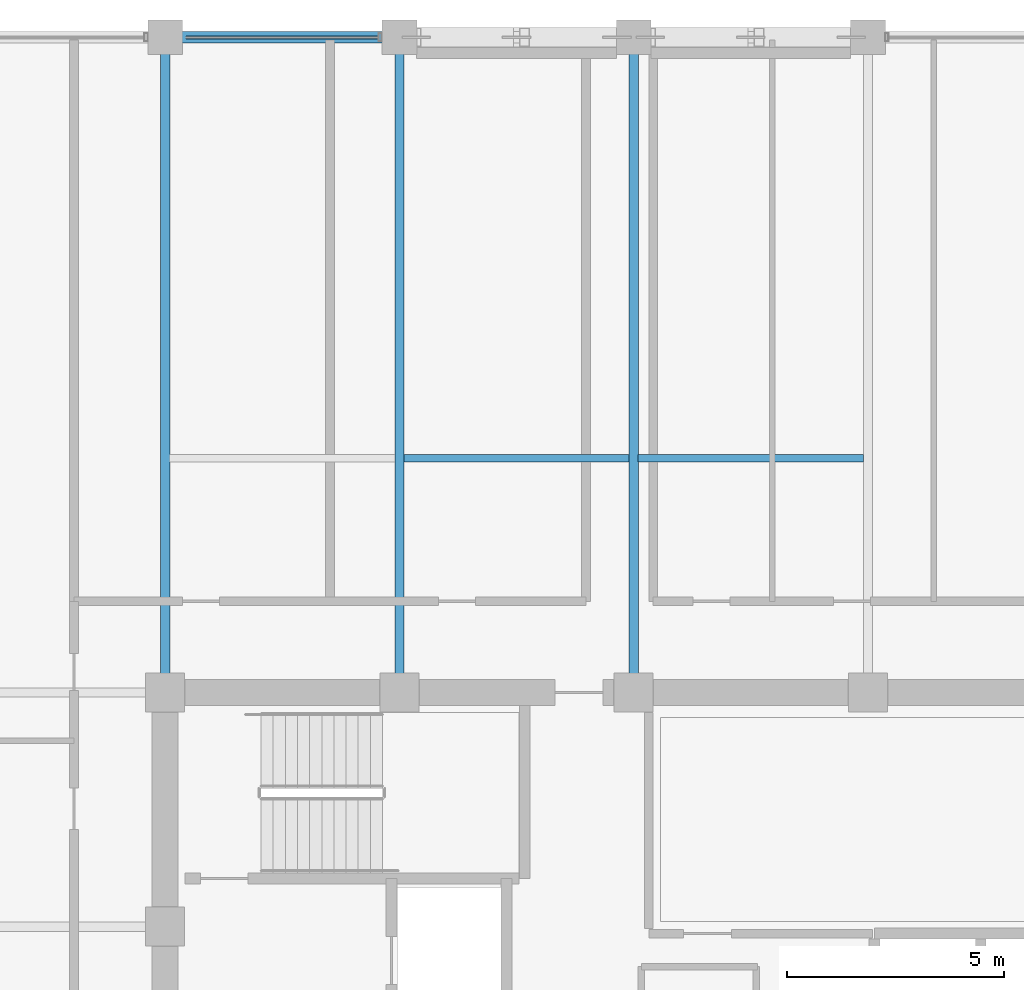
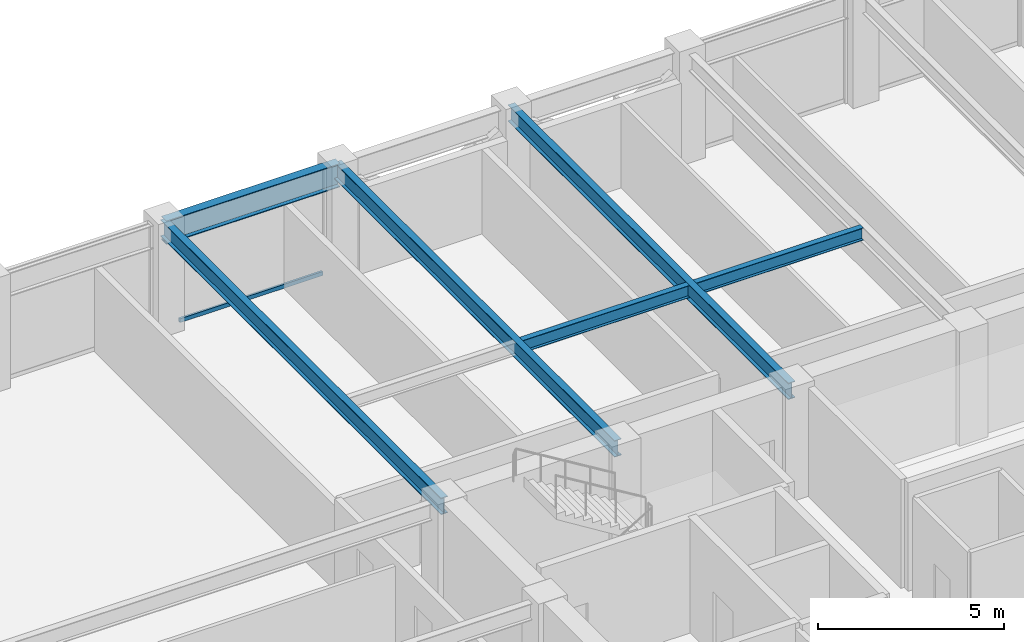
# One storey, part 20 of 32: 6 beams, 1 member, 1 element without a shape of its own.
"""IFC4 building model written with IfcOpenShell, lengths in metres."""

from ifc_helpers import new_model, si_unit, direction, frame, origin, origin_2d, place, context, subcontext, project, spatial, hollow_rectangle, i_section, extrude, material, layer, layer_set, material_profile, profile_set, type_object, element, aggregate, save


model = new_model("IFC4")

# Units and contexts
model_context = context("Model", 3, precision=1e-05, world=origin(), true_north=direction((0.0, 1.0)))
body_context = subcontext(model_context, "Body", "Model", "MODEL_VIEW")
ifc_project = project(units=[si_unit("LENGTHUNIT", "METRE"), si_unit("AREAUNIT", "SQUARE_METRE"), si_unit("VOLUMEUNIT", "CUBIC_METRE"), si_unit("PLANEANGLEUNIT", "RADIAN"), si_unit("MASSUNIT", "GRAM", prefix="KILO")], contexts=[model_context])

# Site, building, storey
site_placement = place(None, origin())
site = spatial("IfcSite", under=ifc_project, at=site_placement, CompositionType="ELEMENT")
building_placement = place(site_placement, origin())
building = spatial("IfcBuilding", under=site, at=building_placement, Name="Surkhivell Harbour Commons", CompositionType="ELEMENT")
storey_placement = place(building_placement, frame((0.0, 0.0, 219.75)))
storey = spatial("IfcBuildingStorey", under=building, at=storey_placement, Name="L57", CompositionType="ELEMENT", Elevation=219.75)

# Beams
ifc_material_1 = material(Name="Steel S355", Category="steel")
ifc_material_profile_1 = material_profile(ifc_material_1, i_section(OverallWidth=0.2119140625, OverallDepth=0.5439453125, WebThickness=0.0126953125, FlangeThickness=0.021240234375, at=origin_2d()), Name="UB533x210x122")
ifc_profile_set_1 = profile_set([ifc_material_profile_1], Name="Steel S355")
beam_type_1 = type_object("IfcBeamType", Name="BM-GRD-533A", PredefinedType="BEAM", material=ifc_profile_set_1)
for number, where, z_axis, x_axis, name in (
    (1, (-10.800048828125, 10.800048828125, 3.298095703125), (0.0, 1.0, 0.0), (-1.0, 0.0, 0.0), "L57 Floor Girder (-10.8,10.8)"),
    (2, (-5.39990234375, 10.800048828125, 3.298095703125), (0.0, 1.0, 0.0), (-1.0, 0.0, 0.0), "L57 Floor Girder (-5.4,10.8)"),
    (3, (0.0, 10.800048828125, 3.298095703125), (0.0, 1.0, 0.0), (-1.0, 0.0, 0.0), "L57 Floor Girder (0.0,10.8)"),
):
    element("IfcBeam", number, at=place(storey_placement, frame(where, z_axis=z_axis, x_axis=x_axis)), inside=storey, type_object=beam_type_1, Name=name, PredefinedType="BEAM", context=body_context, shape_type="SweptSolid", body=[
        extrude(i_section(OverallWidth=0.2119140625, OverallDepth=0.5439453125, WebThickness=0.0126953125, FlangeThickness=0.021240234375, at=origin_2d()), origin(), (0.0, 0.0, 1.0), 15.099853515625),
    ])
ifc_material_profile_2 = material_profile(ifc_material_1, i_section(OverallWidth=0.178955078125, OverallDepth=0.408935546875, WebThickness=0.0087890625, FlangeThickness=0.014404296875, at=origin_2d()), Name="UB406x178x67")
ifc_profile_set_2 = profile_set([ifc_material_profile_2], Name="Steel S355")
beam_type_2 = type_object("IfcBeamType", Name="BM-JST-406", PredefinedType="JOIST", material=ifc_profile_set_2)
for number, where, z_axis, x_axis, name in (
    (4, (-5.2958984375, 16.199951171875, 3.365478515625), (1.0, 0.0, 0.0), (0.0, 1.0, 0.0), "L57 North Composite Joist (-5.4)"),
    (5, (0.10400390625, 16.199951171875, 3.365478515625), (1.0, 0.0, 0.0), (0.0, 1.0, 0.0), "L57 North Composite Joist (0.0)"),
):
    element("IfcBeam", number, at=place(storey_placement, frame(where, z_axis=z_axis, x_axis=x_axis)), inside=storey, type_object=beam_type_2, Name=name, PredefinedType="JOIST", context=body_context, shape_type="SweptSolid", body=[
        extrude(i_section(OverallWidth=0.178955078125, OverallDepth=0.408935546875, WebThickness=0.0087890625, FlangeThickness=0.014404296875, at=origin_2d()), origin(), (0.0, 0.0, 1.0), 5.19189453125),
    ])
ifc_material_profile_3 = material_profile(ifc_material_1, i_section(OverallWidth=0.26806640625, OverallDepth=0.77001953125, WebThickness=0.015625, FlangeThickness=0.025390625, at=origin_2d()), Name="UB762x267x197")
ifc_profile_set_3 = profile_set([ifc_material_profile_3], Name="Steel S355")
beam_type_3 = type_object("IfcBeamType", Name="BM-SPN-762", PredefinedType="SPANDREL", material=ifc_profile_set_3)
beam_placement = place(storey_placement, frame((-10.800048828125, 25.89990234375, 3.18505859375), z_axis=(1.0, 0.0, 0.0), x_axis=(0.0, 1.0, 0.0)))
element("IfcBeam", 6, at=beam_placement, inside=storey, type_object=beam_type_3, Name="L57 Tube Spandrel (-10.8,25.9)", PredefinedType="SPANDREL", context=body_context, shape_type="SweptSolid", body=[
    extrude(i_section(OverallWidth=0.26806640625, OverallDepth=0.77001953125, WebThickness=0.015625, FlangeThickness=0.025390625, at=origin_2d()), origin(), (0.0, 0.0, 1.0), 5.400146484375),
])

# Curtain wall, member
ifc_material_2 = material(Name="Anodised pale-metal aluminium and insulated glazing", Category="aluminium")
ifc_layer = layer(ifc_material_2, 0.18994140625)
ifc_layer_set = layer_set([ifc_layer], Name="Anodised pale-metal aluminium and insulated glazing")
curtain_wall_type = type_object("IfcCurtainWallType", Name="CW-SYS-Z3", PredefinedType="NOTDEFINED", material=ifc_layer_set)
curtain_wall_placement = place(storey_placement, origin())
curtain_wall = element("IfcCurtainWall", 7, at=curtain_wall_placement, inside=storey, type_object=curtain_wall_type, Name="L57 Curtain Wall CW-L57-E07S2", PredefinedType="NOTDEFINED")
ifc_material_3 = material(Name="Champagne anodised aluminium alloy 6063-T6", Category="aluminium")
ifc_material_profile_4 = material_profile(ifc_material_3, hollow_rectangle(XDim=0.070068359375, YDim=0.1298828125, WallThickness=0.00341796875, at=origin_2d()), Name="ALU-TRAN-70x130")
ifc_profile_set_4 = profile_set([ifc_material_profile_4], Name="Champagne anodised aluminium alloy 6063-T6")
member_type = type_object("IfcMemberType", Name="CWT-130", PredefinedType="USERDEFINED", material=ifc_profile_set_4)
member_placement = place(storey_placement, frame((-5.876953125, 25.89990234375, 0.06494140625), z_axis=(-1.0, 0.0, 0.0), x_axis=(0.0, -1.0, 0.0)))
member = element("IfcMember", 8, at=member_placement, type_object=member_type, Name="CW-Z3 transom 1.1", ObjectType="TRANSOM", PredefinedType="USERDEFINED", context=body_context, shape_type="SweptSolid", body=[
    extrude(hollow_rectangle(XDim=0.070068359375, YDim=0.1298828125, WallThickness=0.00341796875, at=origin_2d()), origin(), (0.0, 0.0, 1.0), 4.446044921875),
])
aggregate(curtain_wall, [member])

save(model, "model.ifc")
